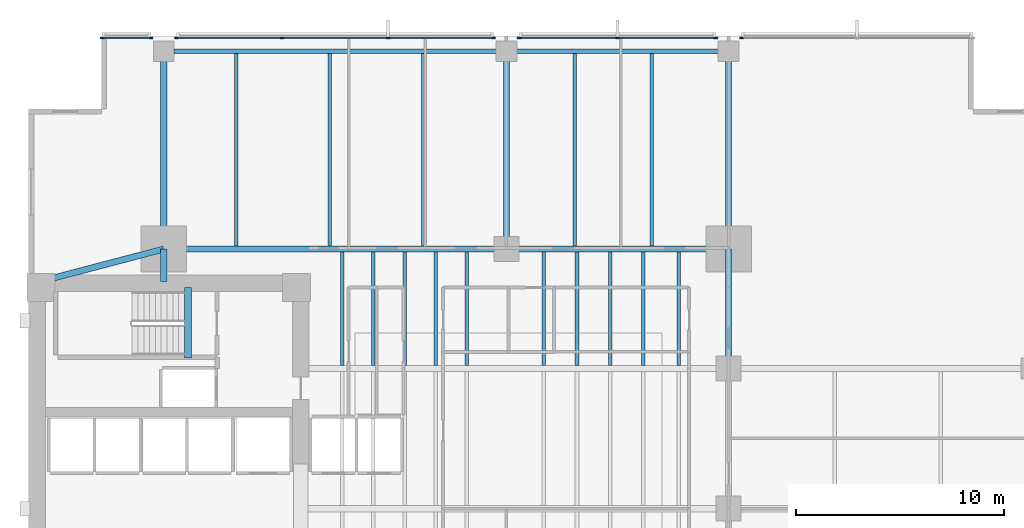
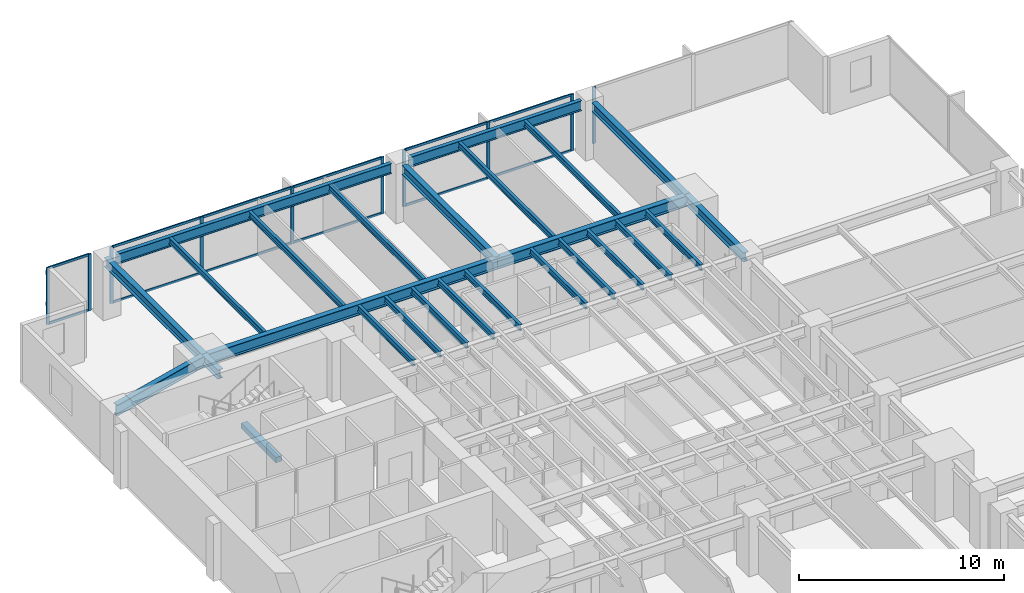
# One storey, part 5 of 15: 26 beams, 22 members, 4 elements without a shape of their own.
"""IFC4 building model written with IfcOpenShell, lengths in metres."""

import ifcopenshell
import ifcopenshell.guid

model = None  # the IFC model being written
_history = None  # IfcOwnerHistory: only IFC2X3 demands one
_inside = {}  # id of a spatial element -> (the spatial element, [elements in it])
_under = {}  # id of a project, library or spatial element -> (it, [spatial elements below it])
_declared = {}  # id of a project -> (the project, [libraries it declares])
_typed = {}  # id of a type object -> (the type object, [elements of that type])
_made_of = {}  # id of a material, layer set ... -> (it, [elements and type objects made of it])


def new_model(schema):
    """Start an empty IFC model of exactly this schema.

    Asked for "IFC4X3", IfcOpenShell would pick the latest addendum, in which some entities
    have other attributes; the version numbers below select the first issue.
    IFC2X3 requires an IfcOwnerHistory on every rooted entity: one is made here for all.
    """
    global model, _history
    if schema == "IFC4X3":
        model = ifcopenshell.file(schema_version=(4, 3, 0, 0))
    else:
        model = ifcopenshell.file(schema=schema)
    _inside.clear()
    _under.clear()
    _declared.clear()
    _typed.clear()
    _made_of.clear()
    _history = None
    if model.schema == "IFC2X3":
        org = make("IfcOrganization", Name="unknown")
        user = make(
            "IfcPersonAndOrganization",
            ThePerson=make("IfcPerson", FamilyName="unknown"),
            TheOrganization=org,
        )
        app = make(
            "IfcApplication",
            ApplicationDeveloper=org,
            Version="unknown",
            ApplicationFullName="unknown",
            ApplicationIdentifier="unknown",
        )
        _history = make(
            "IfcOwnerHistory",
            OwningUser=user,
            OwningApplication=app,
            ChangeAction="ADDED",
            CreationDate=0,
        )
    return model


def make(cls, **values):
    """One entity of the class cls with the attributes given. An attribute that is None is left unset."""
    return model.create_entity(
        cls, **{name: value for name, value in values.items() if value is not None}
    )


def rooted(cls, **values):
    """An entity with a GlobalId (a new one), such as an element, a storey or a relation."""
    return make(cls, GlobalId=ifcopenshell.guid.new(), OwnerHistory=_history, **values)


def si_unit(unit_type, name, prefix=None):
    """IfcSIUnit, for example si_unit("LENGTHUNIT", "METRE", prefix="MILLI")."""
    return make("IfcSIUnit", UnitType=unit_type, Prefix=prefix, Name=name)


def assignment(units):
    """IfcUnitAssignment: the units of a project."""
    return None if units is None else make("IfcUnitAssignment", Units=units)


def point(xyz):
    """IfcCartesianPoint."""
    return None if xyz is None else make("IfcCartesianPoint", Coordinates=xyz)


def direction(xyz):
    """IfcDirection."""
    return None if xyz is None else make("IfcDirection", DirectionRatios=xyz)


def frame(location, z_axis=None, x_axis=None):
    """IfcAxis2Placement3D, a coordinate frame: its origin and axes. An axis left out is left unset."""
    return make(
        "IfcAxis2Placement3D",
        Location=point(location),
        Axis=direction(z_axis),
        RefDirection=direction(x_axis),
    )


def frame_2d(location, x_axis=None):
    """IfcAxis2Placement2D, a coordinate frame in the plane: its origin and x axis."""
    return make(
        "IfcAxis2Placement2D", Location=point(location), RefDirection=direction(x_axis)
    )


def origin():
    """The frame at (0, 0, 0) with its axes left unset."""
    return frame((0.0, 0.0, 0.0))


def origin_2d():
    """The frame at (0, 0) in the plane with its x axis left unset."""
    return frame_2d((0.0, 0.0))


def place(relative_to, where):
    """IfcLocalPlacement: puts the frame where relative to a parent placement (None: the world)."""
    return make(
        "IfcLocalPlacement", PlacementRelTo=relative_to, RelativePlacement=where
    )


def context(
    kind, dimensions, precision=None, world=None, true_north=None, identifier=None
):
    """IfcGeometricRepresentationContext, for example the 3D "Model" context."""
    return make(
        "IfcGeometricRepresentationContext",
        ContextIdentifier=identifier,
        ContextType=kind,
        CoordinateSpaceDimension=dimensions,
        Precision=precision,
        WorldCoordinateSystem=world,
        TrueNorth=true_north,
    )


def subcontext(parent, identifier, kind, view, scale=None):
    """IfcGeometricRepresentationSubContext, for example "Body" below "Model"."""
    return make(
        "IfcGeometricRepresentationSubContext",
        ContextIdentifier=identifier,
        ContextType=kind,
        ParentContext=parent,
        TargetScale=scale,
        TargetView=view,
    )


def project(units=None, contexts=None):
    """IfcProject with its units and contexts."""
    return rooted(
        "IfcProject",
        Name="project",
        RepresentationContexts=contexts,
        UnitsInContext=assignment(units),
    )


def spatial(cls, under=None, at=None, **own):
    """A site, building, storey or space (cls), placed at a placement, below another one or the project."""
    s = rooted(cls, ObjectPlacement=at, **own)
    if under is not None:
        _under.setdefault(under.id(), (under, []))[1].append(s)
    return s


def profile(cls, at=None, kind="AREA", **sizes):
    """A parametric profile (cls). Its sizes go by their IFC names, for example OverallWidth=200.0."""
    return make(cls, ProfileType=kind, Position=at, **sizes)


def rectangle(**sizes):
    """IfcRectangleProfileDef."""
    return profile("IfcRectangleProfileDef", **sizes)


def i_section(**sizes):
    """IfcIShapeProfileDef."""
    return profile("IfcIShapeProfileDef", **sizes)


def extrude(swept, where, along, depth):
    """IfcExtrudedAreaSolid: the profile swept, set in the frame where, extruded along a direction by depth."""
    return make(
        "IfcExtrudedAreaSolid",
        SweptArea=swept,
        Position=where,
        ExtrudedDirection=direction(along),
        Depth=depth,
    )


def shape(context_of_items, identifier, shape_type, items):
    """IfcShapeRepresentation: the items that make up one representation, for example the "Body"."""
    return make(
        "IfcShapeRepresentation",
        ContextOfItems=context_of_items,
        RepresentationIdentifier=identifier,
        RepresentationType=shape_type,
        Items=items,
    )


def material(Name=None, Category=None):
    """IfcMaterial."""
    return make("IfcMaterial", Name=Name, Category=Category)


def layer(
    of_material, thickness, ventilated=None, Name=None, Category=None, Priority=None
):
    """IfcMaterialLayer: one layer of a wall or slab, of a material (None: an air gap)."""
    return make(
        "IfcMaterialLayer",
        Material=of_material,
        LayerThickness=thickness,
        IsVentilated=ventilated,
        Name=Name,
        Category=Category,
        Priority=Priority,
    )


def layer_set(layers, Name=None):
    """IfcMaterialLayerSet."""
    return make("IfcMaterialLayerSet", MaterialLayers=layers, LayerSetName=Name)


def material_profile(
    of_material, cross_section, Name=None, Category=None, Priority=None
):
    """IfcMaterialProfile: a cross section and its material."""
    return make(
        "IfcMaterialProfile",
        Name=Name,
        Material=of_material,
        Profile=cross_section,
        Priority=Priority,
        Category=Category,
    )


def profile_set(profiles, Name=None, composite=None):
    """IfcMaterialProfileSet."""
    return make(
        "IfcMaterialProfileSet",
        Name=Name,
        MaterialProfiles=profiles,
        CompositeProfile=composite,
    )


def made_of(thing, what):
    """Note that an element or type object is made of a material, layer set ...; save() writes the relation."""
    if what is not None:
        _made_of.setdefault(what.id(), (what, []))[1].append(thing)
    return thing


def type_object(cls, material=None, **own):
    """A type object (cls), such as IfcWallType, which elements share."""
    return made_of(rooted(cls, **own), material)


def element(
    cls,
    number,
    at=None,
    inside=None,
    cuts=None,
    type_object=None,
    material=None,
    context=None,
    identifier="Body",
    shape_type=None,
    held_by="IfcProductDefinitionShape",
    body=None,
    shapes=None,
    **own,
):
    """One element of the class cls, such as IfcWall. Its Tag is "e" and its number.

    at: its placement. inside: the storey or other place that contains it. cuts: it is an
    opening in that element (IfcRelVoidsElement). A single representation is given by context,
    identifier, shape_type and body (its items); several are given by shapes. held_by: the class
    of the entity that holds the representations. save() writes the other relations.
    """
    e = rooted(cls, Tag="e%d" % number, ObjectPlacement=at, **own)
    if body is not None:
        shapes = [shape(context, identifier, shape_type, body)]
    if shapes is not None:
        e.Representation = make(held_by, Representations=shapes)
    if inside is not None:
        _inside.setdefault(inside.id(), (inside, []))[1].append(e)
    if cuts is not None:
        rooted(
            "IfcRelVoidsElement", RelatingBuildingElement=cuts, RelatedOpeningElement=e
        )
    if type_object is not None:
        _typed.setdefault(type_object.id(), (type_object, []))[1].append(e)
    return made_of(e, material)


def aggregate(whole, parts):
    """IfcRelAggregates: a whole, such as a stair, and the parts it consists of."""
    return rooted("IfcRelAggregates", RelatingObject=whole, RelatedObjects=parts)


def save(model, path):
    """Write the relations noted so far, then the file.

    IfcRelAggregates (storeys below a building ...), IfcRelContainedInSpatialStructure (elements
    in a storey), IfcRelDefinesByType, IfcRelAssociatesMaterial and IfcRelDeclares: one each for
    every whole, place, type object, material and project.
    """
    for whole, parts in _under.values():
        aggregate(whole, parts)
    for where, things in _inside.values():
        rooted(
            "IfcRelContainedInSpatialStructure",
            RelatedElements=things,
            RelatingStructure=where,
        )
    for kind, things in _typed.values():
        rooted("IfcRelDefinesByType", RelatedObjects=things, RelatingType=kind)
    for what, things in _made_of.values():
        rooted("IfcRelAssociatesMaterial", RelatedObjects=things, RelatingMaterial=what)
    for by, libraries in _declared.values():
        rooted("IfcRelDeclares", RelatingContext=by, RelatedDefinitions=libraries)
    model.write(path)


model = new_model("IFC4")

# Units and contexts
model_context = context("Model", 3, precision=1e-05, world=origin(), true_north=direction((0.0, 1.0)))
body_context = subcontext(model_context, "Body", "Model", "MODEL_VIEW")
ifc_project = project(units=[si_unit("LENGTHUNIT", "METRE"), si_unit("AREAUNIT", "SQUARE_METRE"), si_unit("VOLUMEUNIT", "CUBIC_METRE"), si_unit("PLANEANGLEUNIT", "RADIAN"), si_unit("MASSUNIT", "GRAM", prefix="KILO")], contexts=[model_context])

# Site, building, storey
site_placement = place(None, origin())
site = spatial("IfcSite", under=ifc_project, at=site_placement, CompositionType="ELEMENT")
building_placement = place(site_placement, origin())
building = spatial("IfcBuilding", under=site, at=building_placement, Name="Kinhvarn Gate Tower", CompositionType="ELEMENT")
storey_placement = place(building_placement, frame((0.0, 0.0, 57.550048828125)))
storey = spatial("IfcBuildingStorey", under=building, at=storey_placement, Name="L14", CompositionType="ELEMENT", Elevation=57.550048828125)

# Beam
ifc_material_1 = material(Name="Concrete C50/60", Category="concrete")
ifc_material_profile_1 = material_profile(ifc_material_1, rectangle(XDim=0.340087890625, YDim=0.320068359375, at=origin_2d()), Name="RC 340x320")
ifc_profile_set_1 = profile_set([ifc_material_profile_1], Name="Concrete C50/60")
beam_type_1 = type_object("IfcBeamType", Name="BM-LND-500", PredefinedType="BEAM", material=ifc_profile_set_1)
beam_1_placement = place(storey_placement, frame((12.1650390625, 32.5, -0.16015625), z_axis=(0.0, 1.0, 0.0), x_axis=(-1.0, 0.0, 0.0)))
element("IfcBeam", 1, at=beam_1_placement, inside=storey, type_object=beam_type_1, Name="Stair ST2 Landing Nosing Beam (L14)", PredefinedType="BEAM", context=body_context, shape_type="SweptSolid", body=[
    extrude(rectangle(XDim=0.340087890625, YDim=0.320068359375, at=origin_2d()), origin(), (0.0, 0.0, 1.0), 3.39990234375),
])

# Curtain wall, member
ifc_material_2 = material(Name="Anodised aluminium AW-6063", Category="aluminium")
ifc_layer = layer(ifc_material_2, 0.179931640625)
ifc_layer_set = layer_set([ifc_layer], Name="Anodised aluminium AW-6063")
curtain_wall_type = type_object("IfcCurtainWallType", Name="CW-SYS-2", PredefinedType="NOTDEFINED", material=ifc_layer_set)
curtain_wall_1_placement = place(storey_placement, origin())
curtain_wall_1 = element("IfcCurtainWall", 2, at=curtain_wall_1_placement, inside=storey, type_object=curtain_wall_type, Name="Curtain Wall CW2 (L14)", PredefinedType="NOTDEFINED")
ifc_material_profile_2 = material_profile(ifc_material_2, rectangle(XDim=0.070068359375, YDim=0.179931640625, at=origin_2d()), Name="ALU 70x180")
ifc_profile_set_2 = profile_set([ifc_material_profile_2], Name="Anodised aluminium AW-6063")
member_type_1 = type_object("IfcMemberType", Name="CW-MUL-180", PredefinedType="MULLION", material=ifc_profile_set_2)
member_1_placement = place(storey_placement, frame((38.81494140625, 47.909912109375, 0.0), z_axis=(0.0, 0.0, 1.0), x_axis=(0.0, -1.0, 0.0)))
member_1 = element("IfcMember", 3, at=member_1_placement, type_object=member_type_1, Name="CW2 mullion 3", PredefinedType="MULLION", context=body_context, shape_type="SweptSolid", body=[
    extrude(rectangle(XDim=0.070068359375, YDim=0.179931640625, at=origin_2d()), origin(), (0.0, 0.0, 1.0), 3.369873046875),
])
aggregate(curtain_wall_1, [member_1])

# Curtain wall, members
curtain_wall_2_placement = place(storey_placement, origin())
curtain_wall_2 = element("IfcCurtainWall", 4, at=curtain_wall_2_placement, inside=storey, type_object=curtain_wall_type, Name="Curtain Wall CW2 (L14)", PredefinedType="NOTDEFINED")
member_2_placement = place(storey_placement, frame((37.5849609375, 47.909912109375, 0.0), z_axis=(0.0, 0.0, 1.0), x_axis=(0.0, -1.0, 0.0)))
member_2 = element("IfcMember", 5, at=member_2_placement, type_object=member_type_1, Name="CW2 mullion 1", PredefinedType="MULLION", context=body_context, shape_type="SweptSolid", body=[
    extrude(rectangle(XDim=0.070068359375, YDim=0.179931640625, at=origin_2d()), origin(), (0.0, 0.0, 1.0), 3.369873046875),
])
member_3_placement = place(storey_placement, frame((32.85009765625, 47.909912109375, 0.0), z_axis=(0.0, 0.0, 1.0), x_axis=(0.0, -1.0, 0.0)))
member_3 = element("IfcMember", 6, at=member_3_placement, type_object=member_type_1, Name="CW2 mullion 2", PredefinedType="MULLION", context=body_context, shape_type="SweptSolid", body=[
    extrude(rectangle(XDim=0.070068359375, YDim=0.179931640625, at=origin_2d()), origin(), (0.0, 0.0, 1.0), 3.369873046875),
])
member_4_placement = place(storey_placement, frame((28.114990234375, 47.909912109375, 0.0), z_axis=(0.0, 0.0, 1.0), x_axis=(0.0, -1.0, 0.0)))
member_4 = element("IfcMember", 7, at=member_4_placement, type_object=member_type_1, Name="CW2 mullion 3", PredefinedType="MULLION", context=body_context, shape_type="SweptSolid", body=[
    extrude(rectangle(XDim=0.070068359375, YDim=0.179931640625, at=origin_2d()), origin(), (0.0, 0.0, 1.0), 3.369873046875),
])

curtain_wall_3_placement = place(storey_placement, origin())
curtain_wall_3 = element("IfcCurtainWall", 8, at=curtain_wall_3_placement, inside=storey, type_object=curtain_wall_type, Name="Curtain Wall CW2 (L14)", PredefinedType="NOTDEFINED")
member_5_placement = place(storey_placement, frame((26.885009765625, 47.909912109375, 0.0), z_axis=(0.0, 0.0, 1.0), x_axis=(0.0, -1.0, 0.0)))
member_5 = element("IfcMember", 9, at=member_5_placement, type_object=member_type_1, Name="CW2 mullion 1", PredefinedType="MULLION", context=body_context, shape_type="SweptSolid", body=[
    extrude(rectangle(XDim=0.070068359375, YDim=0.179931640625, at=origin_2d()), origin(), (0.0, 0.0, 1.0), 3.369873046875),
])
member_6_placement = place(storey_placement, frame((21.806640625, 47.909912109375, 0.0), z_axis=(0.0, 0.0, 1.0), x_axis=(0.0, -1.0, 0.0)))
member_6 = element("IfcMember", 10, at=member_6_placement, type_object=member_type_1, Name="CW2 mullion 2", PredefinedType="MULLION", context=body_context, shape_type="SweptSolid", body=[
    extrude(rectangle(XDim=0.070068359375, YDim=0.179931640625, at=origin_2d()), origin(), (0.0, 0.0, 1.0), 3.369873046875),
])
member_7_placement = place(storey_placement, frame((16.693359375, 47.909912109375, 0.0), z_axis=(0.0, 0.0, 1.0), x_axis=(0.0, -1.0, 0.0)))
member_7 = element("IfcMember", 11, at=member_7_placement, type_object=member_type_1, Name="CW2 mullion 3", PredefinedType="MULLION", context=body_context, shape_type="SweptSolid", body=[
    extrude(rectangle(XDim=0.070068359375, YDim=0.179931640625, at=origin_2d()), origin(), (0.0, 0.0, 1.0), 3.369873046875),
])
member_8_placement = place(storey_placement, frame((11.614990234375, 47.909912109375, 0.0), z_axis=(0.0, 0.0, 1.0), x_axis=(0.0, -1.0, 0.0)))
member_8 = element("IfcMember", 12, at=member_8_placement, type_object=member_type_1, Name="CW2 mullion 4", PredefinedType="MULLION", context=body_context, shape_type="SweptSolid", body=[
    extrude(rectangle(XDim=0.070068359375, YDim=0.179931640625, at=origin_2d()), origin(), (0.0, 0.0, 1.0), 3.369873046875),
])

curtain_wall_4_placement = place(storey_placement, origin())
curtain_wall_4 = element("IfcCurtainWall", 13, at=curtain_wall_4_placement, inside=storey, type_object=curtain_wall_type, Name="Curtain Wall CW2 (L14)", PredefinedType="NOTDEFINED")
member_9_placement = place(storey_placement, frame((10.385009765625, 47.909912109375, 0.0), z_axis=(0.0, 0.0, 1.0), x_axis=(0.0, -1.0, 0.0)))
member_9 = element("IfcMember", 14, at=member_9_placement, type_object=member_type_1, Name="CW2 mullion 1", PredefinedType="MULLION", context=body_context, shape_type="SweptSolid", body=[
    extrude(rectangle(XDim=0.070068359375, YDim=0.179931640625, at=origin_2d()), origin(), (0.0, 0.0, 1.0), 3.369873046875),
])
member_10_placement = place(storey_placement, frame((8.034912109375, 47.909912109375, 0.0), z_axis=(0.0, 0.0, 1.0), x_axis=(0.0, -1.0, 0.0)))
member_10 = element("IfcMember", 15, at=member_10_placement, type_object=member_type_1, Name="CW2 mullion 2", PredefinedType="MULLION", context=body_context, shape_type="SweptSolid", body=[
    extrude(rectangle(XDim=0.070068359375, YDim=0.179931640625, at=origin_2d()), origin(), (0.0, 0.0, 1.0), 3.369873046875),
])

# Member
ifc_material_profile_3 = material_profile(ifc_material_2, rectangle(XDim=0.070068359375, YDim=0.139892578125, at=origin_2d()), Name="ALU 70x140")
ifc_profile_set_3 = profile_set([ifc_material_profile_3], Name="Anodised aluminium AW-6063")
member_type_2 = type_object("IfcMemberType", Name="CW-TRN-140", PredefinedType="USERDEFINED", material=ifc_profile_set_3)
member_11_placement = place(storey_placement, frame((37.550048828125, 47.909912109375, 0.034912109375), z_axis=(-1.0, 0.0, 0.0), x_axis=(0.0, -1.0, 0.0)))
member_11 = element("IfcMember", 16, at=member_11_placement, type_object=member_type_2, Name="CW2 transom 1.1", ObjectType="TRANSOM", PredefinedType="USERDEFINED", context=body_context, shape_type="SweptSolid", body=[
    extrude(rectangle(XDim=0.070068359375, YDim=0.139892578125, at=origin_2d()), origin(), (0.0, 0.0, 1.0), 4.6650390625),
])

member_12_placement = place(storey_placement, frame((37.550048828125, 47.909912109375, 3.3349609375), z_axis=(-1.0, 0.0, 0.0), x_axis=(0.0, -1.0, 0.0)))
member_12 = element("IfcMember", 17, at=member_12_placement, type_object=member_type_2, Name="CW2 transom 1.2", ObjectType="TRANSOM", PredefinedType="USERDEFINED", context=body_context, shape_type="SweptSolid", body=[
    extrude(rectangle(XDim=0.070068359375, YDim=0.139892578125, at=origin_2d()), origin(), (0.0, 0.0, 1.0), 4.6650390625),
])

member_13_placement = place(storey_placement, frame((32.81494140625, 47.909912109375, 0.034912109375), z_axis=(-1.0, 0.0, 0.0), x_axis=(0.0, -1.0, 0.0)))
member_13 = element("IfcMember", 18, at=member_13_placement, type_object=member_type_2, Name="CW2 transom 2.1", ObjectType="TRANSOM", PredefinedType="USERDEFINED", context=body_context, shape_type="SweptSolid", body=[
    extrude(rectangle(XDim=0.070068359375, YDim=0.139892578125, at=origin_2d()), origin(), (0.0, 0.0, 1.0), 4.6650390625),
])

member_14_placement = place(storey_placement, frame((32.81494140625, 47.909912109375, 3.3349609375), z_axis=(-1.0, 0.0, 0.0), x_axis=(0.0, -1.0, 0.0)))
member_14 = element("IfcMember", 19, at=member_14_placement, type_object=member_type_2, Name="CW2 transom 2.2", ObjectType="TRANSOM", PredefinedType="USERDEFINED", context=body_context, shape_type="SweptSolid", body=[
    extrude(rectangle(XDim=0.070068359375, YDim=0.139892578125, at=origin_2d()), origin(), (0.0, 0.0, 1.0), 4.6650390625),
])

aggregate(curtain_wall_2, [member_2, member_3, member_4, member_11, member_12, member_13, member_14])

member_15_placement = place(storey_placement, frame((26.85009765625, 47.909912109375, 0.034912109375), z_axis=(-1.0, 0.0, 0.0), x_axis=(0.0, -1.0, 0.0)))
member_15 = element("IfcMember", 20, at=member_15_placement, type_object=member_type_2, Name="CW2 transom 1.1", ObjectType="TRANSOM", PredefinedType="USERDEFINED", context=body_context, shape_type="SweptSolid", body=[
    extrude(rectangle(XDim=0.070068359375, YDim=0.139892578125, at=origin_2d()), origin(), (0.0, 0.0, 1.0), 5.008544921875),
])

member_16_placement = place(storey_placement, frame((26.85009765625, 47.909912109375, 3.3349609375), z_axis=(-1.0, 0.0, 0.0), x_axis=(0.0, -1.0, 0.0)))
member_16 = element("IfcMember", 21, at=member_16_placement, type_object=member_type_2, Name="CW2 transom 1.2", ObjectType="TRANSOM", PredefinedType="USERDEFINED", context=body_context, shape_type="SweptSolid", body=[
    extrude(rectangle(XDim=0.070068359375, YDim=0.139892578125, at=origin_2d()), origin(), (0.0, 0.0, 1.0), 5.008544921875),
])

member_17_placement = place(storey_placement, frame((21.771728515625, 47.909912109375, 0.034912109375), z_axis=(-1.0, 0.0, 0.0), x_axis=(0.0, -1.0, 0.0)))
member_17 = element("IfcMember", 22, at=member_17_placement, type_object=member_type_2, Name="CW2 transom 2.1", ObjectType="TRANSOM", PredefinedType="USERDEFINED", context=body_context, shape_type="SweptSolid", body=[
    extrude(rectangle(XDim=0.070068359375, YDim=0.139892578125, at=origin_2d()), origin(), (0.0, 0.0, 1.0), 5.04345703125),
])

member_18_placement = place(storey_placement, frame((21.771728515625, 47.909912109375, 3.3349609375), z_axis=(-1.0, 0.0, 0.0), x_axis=(0.0, -1.0, 0.0)))
member_18 = element("IfcMember", 23, at=member_18_placement, type_object=member_type_2, Name="CW2 transom 2.2", ObjectType="TRANSOM", PredefinedType="USERDEFINED", context=body_context, shape_type="SweptSolid", body=[
    extrude(rectangle(XDim=0.070068359375, YDim=0.139892578125, at=origin_2d()), origin(), (0.0, 0.0, 1.0), 5.04345703125),
])

member_19_placement = place(storey_placement, frame((16.658447265625, 47.909912109375, 0.034912109375), z_axis=(-1.0, 0.0, 0.0), x_axis=(0.0, -1.0, 0.0)))
member_19 = element("IfcMember", 24, at=member_19_placement, type_object=member_type_2, Name="CW2 transom 3.1", ObjectType="TRANSOM", PredefinedType="USERDEFINED", context=body_context, shape_type="SweptSolid", body=[
    extrude(rectangle(XDim=0.070068359375, YDim=0.139892578125, at=origin_2d()), origin(), (0.0, 0.0, 1.0), 5.008544921875),
])

member_20_placement = place(storey_placement, frame((16.658447265625, 47.909912109375, 3.3349609375), z_axis=(-1.0, 0.0, 0.0), x_axis=(0.0, -1.0, 0.0)))
member_20 = element("IfcMember", 25, at=member_20_placement, type_object=member_type_2, Name="CW2 transom 3.2", ObjectType="TRANSOM", PredefinedType="USERDEFINED", context=body_context, shape_type="SweptSolid", body=[
    extrude(rectangle(XDim=0.070068359375, YDim=0.139892578125, at=origin_2d()), origin(), (0.0, 0.0, 1.0), 5.008544921875),
])

aggregate(curtain_wall_3, [member_5, member_6, member_7, member_8, member_15, member_16, member_17, member_18, member_19, member_20])

member_21_placement = place(storey_placement, frame((10.35009765625, 47.909912109375, 0.034912109375), z_axis=(-1.0, 0.0, 0.0), x_axis=(0.0, -1.0, 0.0)))
member_21 = element("IfcMember", 26, at=member_21_placement, type_object=member_type_2, Name="CW2 transom 1.1", ObjectType="TRANSOM", PredefinedType="USERDEFINED", context=body_context, shape_type="SweptSolid", body=[
    extrude(rectangle(XDim=0.070068359375, YDim=0.139892578125, at=origin_2d()), origin(), (0.0, 0.0, 1.0), 2.280029296875),
])

member_22_placement = place(storey_placement, frame((10.35009765625, 47.909912109375, 3.3349609375), z_axis=(-1.0, 0.0, 0.0), x_axis=(0.0, -1.0, 0.0)))
member_22 = element("IfcMember", 27, at=member_22_placement, type_object=member_type_2, Name="CW2 transom 1.2", ObjectType="TRANSOM", PredefinedType="USERDEFINED", context=body_context, shape_type="SweptSolid", body=[
    extrude(rectangle(XDim=0.070068359375, YDim=0.139892578125, at=origin_2d()), origin(), (0.0, 0.0, 1.0), 2.280029296875),
])

aggregate(curtain_wall_4, [member_9, member_10, member_21, member_22])

# Beams
ifc_material_3 = material(Name="Steel S355", Category="steel")
ifc_material_profile_4 = material_profile(ifc_material_3, i_section(OverallWidth=0.300048828125, OverallDepth=0.550048828125, WebThickness=0.014892578125, FlangeThickness=0.029052734375, at=origin_2d()), Name="HEB 550")
ifc_profile_set_4 = profile_set([ifc_material_profile_4], Name="Steel S355")
beam_type_2 = type_object("IfcBeamType", Name="STL-HEB550", PredefinedType="BEAM", material=ifc_profile_set_4)
beam_2_placement = place(storey_placement, frame((11.0, 36.199951171875, 3.094970703125), z_axis=(0.0, 1.0, 0.0), x_axis=(-1.0, 0.0, 0.0)))
element("IfcBeam", 28, at=beam_2_placement, inside=storey, type_object=beam_type_2, Name="Floor Beam PG-15 (L14 MCW-CN)", PredefinedType="BEAM", context=body_context, shape_type="SweptSolid", body=[
    extrude(i_section(OverallWidth=0.300048828125, OverallDepth=0.550048828125, WebThickness=0.014892578125, FlangeThickness=0.029052734375, at=origin_2d()), origin(), (0.0, 0.0, 1.0), 1.550048828125),
])
beam_3_placement = place(storey_placement, frame((11.0, 37.75, 3.094970703125), z_axis=(0.0, 1.0, 0.0), x_axis=(-1.0, 0.0, 0.0)))
element("IfcBeam", 29, at=beam_3_placement, inside=storey, type_object=beam_type_2, Name="Floor Beam PG-15 (L14 MCW-N)", PredefinedType="BEAM", context=body_context, shape_type="SweptSolid", body=[
    extrude(i_section(OverallWidth=0.300048828125, OverallDepth=0.550048828125, WebThickness=0.014892578125, FlangeThickness=0.029052734375, at=origin_2d()), origin(), (0.0, 0.0, 1.0), 9.530029296875),
])
for number, where, z_axis, x_axis, name in (
    (30, (27.5, 37.75, 3.094970703125), (0.0, 1.0, 0.0), (-1.0, 0.0, 0.0), "Floor Beam PG-15 (L14 SP27-N-TIE)"),
    (31, (38.199951171875, 37.75, 3.094970703125), (0.0, 1.0, 0.0), (-1.0, 0.0, 0.0), "Floor Beam PG-15 (L14 MCE-N)"),
):
    element("IfcBeam", number, at=place(storey_placement, frame(where, z_axis=z_axis, x_axis=x_axis)), inside=storey, type_object=beam_type_2, Name=name, PredefinedType="BEAM", context=body_context, shape_type="SweptSolid", body=[
        extrude(i_section(OverallWidth=0.300048828125, OverallDepth=0.550048828125, WebThickness=0.014892578125, FlangeThickness=0.029052734375, at=origin_2d()), origin(), (0.0, 0.0, 1.0), 9.044921875),
    ])
beam_4_placement = place(storey_placement, frame((38.199951171875, 32.0, 3.094970703125), z_axis=(0.0, 1.0, 0.0), x_axis=(-1.0, 0.0, 0.0)))
element("IfcBeam", 32, at=beam_4_placement, inside=storey, type_object=beam_type_2, Name="Floor Beam PG-15 (L14 MG-E-32)", PredefinedType="BEAM", context=body_context, shape_type="SweptSolid", body=[
    extrude(i_section(OverallWidth=0.300048828125, OverallDepth=0.550048828125, WebThickness=0.014892578125, FlangeThickness=0.029052734375, at=origin_2d()), origin(), (0.0, 0.0, 1.0), 5.75),
])
ifc_material_profile_5 = material_profile(ifc_material_3, i_section(OverallWidth=0.300048828125, OverallDepth=0.64990234375, WebThickness=0.01611328125, FlangeThickness=0.031005859375, at=origin_2d()), Name="HEB 650")
ifc_profile_set_5 = profile_set([ifc_material_profile_5], Name="Steel S355")
beam_type_3 = type_object("IfcBeamType", Name="STL-HEB650", PredefinedType="BEAM", material=ifc_profile_set_5)
beam_5_placement = place(storey_placement, frame((11.0, 37.75, 3.044921875), z_axis=(1.0, 0.0, 0.0), x_axis=(0.0, 1.0, 0.0)))
element("IfcBeam", 33, at=beam_5_placement, inside=storey, type_object=beam_type_3, Name="Floor Beam PG-17 (L14 MG-N1)", PredefinedType="BEAM", context=body_context, shape_type="SweptSolid", body=[
    extrude(i_section(OverallWidth=0.300048828125, OverallDepth=0.64990234375, WebThickness=0.01611328125, FlangeThickness=0.031005859375, at=origin_2d()), origin(), (0.0, 0.0, 1.0), 16.5),
])
beam_6_placement = place(storey_placement, frame((27.5, 37.75, 3.044921875), z_axis=(1.0, 0.0, 0.0), x_axis=(0.0, 1.0, 0.0)))
element("IfcBeam", 34, at=beam_6_placement, inside=storey, type_object=beam_type_3, Name="Floor Beam PG-17 (L14 MG-N2)", PredefinedType="BEAM", context=body_context, shape_type="SweptSolid", body=[
    extrude(i_section(OverallWidth=0.300048828125, OverallDepth=0.64990234375, WebThickness=0.01611328125, FlangeThickness=0.031005859375, at=origin_2d()), origin(), (0.0, 0.0, 1.0), 10.699951171875),
])
beam_7_placement = place(storey_placement, frame((5.10009765625, 36.199951171875, 3.044921875), z_axis=(0.967177623957, 0.254101246979, 0.0), x_axis=(-0.254101246979, 0.967177623957, 0.0)))
element("IfcBeam", 35, at=beam_7_placement, inside=storey, type_object=beam_type_3, Name="Floor Beam PG-17 (L14 MG-NW-DIAG)", PredefinedType="BEAM", context=body_context, shape_type="SweptSolid", body=[
    extrude(i_section(OverallWidth=0.300048828125, OverallDepth=0.64990234375, WebThickness=0.01611328125, FlangeThickness=0.031005859375, at=origin_2d()), origin(), (0.0, 0.0, 1.0), 6.10009765625),
])
ifc_material_profile_6 = material_profile(ifc_material_3, i_section(OverallWidth=0.169921875, OverallDepth=0.360107421875, WebThickness=0.008056640625, FlangeThickness=0.0126953125, at=origin_2d()), Name="IPE 360")
ifc_profile_set_6 = profile_set([ifc_material_profile_6], Name="Steel S355")
beam_type_4 = type_object("IfcBeamType", Name="STL-IPE360", PredefinedType="JOIST", material=ifc_profile_set_6)
for number, where, z_axis, x_axis, name in (
    (36, (19.60009765625, 32.14990234375, 3.18994140625), (0.0, 1.0, 0.0), (-1.0, 0.0, 0.0), "Floor Joist SB-04 (L14 JC-X196-3)"),
    (37, (21.10009765625, 32.14990234375, 3.18994140625), (0.0, 1.0, 0.0), (-1.0, 0.0, 0.0), "Floor Joist SB-04 (L14 JC-X211-3)"),
    (38, (22.60009765625, 32.14990234375, 3.18994140625), (0.0, 1.0, 0.0), (-1.0, 0.0, 0.0), "Floor Joist SB-04 (L14 JC-X226-3)"),
    (39, (24.10009765625, 32.14990234375, 3.18994140625), (0.0, 1.0, 0.0), (-1.0, 0.0, 0.0), "Floor Joist SB-04 (L14 JC-X241-3)"),
    (40, (25.60009765625, 32.14990234375, 3.18994140625), (0.0, 1.0, 0.0), (-1.0, 0.0, 0.0), "Floor Joist SB-04 (L14 JC-X256-3)"),
    (41, (29.300048828125, 32.14990234375, 3.18994140625), (0.0, 1.0, 0.0), (-1.0, 0.0, 0.0), "Floor Joist SB-04 (L14 JC-X293-3)"),
    (42, (30.89990234375, 32.14990234375, 3.18994140625), (0.0, 1.0, 0.0), (-1.0, 0.0, 0.0), "Floor Joist SB-04 (L14 JC-X309-3)"),
    (43, (32.5, 32.14990234375, 3.18994140625), (0.0, 1.0, 0.0), (-1.0, 0.0, 0.0), "Floor Joist SB-04 (L14 JC-X325-3)"),
    (44, (34.10009765625, 32.14990234375, 3.18994140625), (0.0, 1.0, 0.0), (-1.0, 0.0, 0.0), "Floor Joist SB-04 (L14 JC-X341-3)"),
    (45, (35.800048828125, 32.14990234375, 3.18994140625), (0.0, 1.0, 0.0), (-1.0, 0.0, 0.0), "Floor Joist SB-04 (L14 JC-X358-3)"),
):
    element("IfcBeam", number, at=place(storey_placement, frame(where, z_axis=z_axis, x_axis=x_axis)), inside=storey, type_object=beam_type_4, Name=name, PredefinedType="JOIST", context=body_context, shape_type="SweptSolid", body=[
        extrude(i_section(OverallWidth=0.169921875, OverallDepth=0.360107421875, WebThickness=0.008056640625, FlangeThickness=0.0126953125, at=origin_2d()), origin(), (0.0, 0.0, 1.0), 5.4501953125),
    ])
for number, where, z_axis, x_axis, name in (
    (46, (14.5, 37.89990234375, 3.18994140625), (0.0, 1.0, 0.0), (-1.0, 0.0, 0.0), "Floor Joist SB-04 (L14 JN-X145)"),
    (47, (19.0, 37.89990234375, 3.18994140625), (0.0, 1.0, 0.0), (-1.0, 0.0, 0.0), "Floor Joist SB-04 (L14 JN-X190)"),
    (48, (23.5, 37.89990234375, 3.18994140625), (0.0, 1.0, 0.0), (-1.0, 0.0, 0.0), "Floor Joist SB-04 (L14 JN-X235)"),
    (49, (30.800048828125, 37.89990234375, 3.18994140625), (0.0, 1.0, 0.0), (-1.0, 0.0, 0.0), "Floor Joist SB-04 (L14 JN-X308)"),
    (50, (34.5, 37.89990234375, 3.18994140625), (0.0, 1.0, 0.0), (-1.0, 0.0, 0.0), "Floor Joist SB-04 (L14 JN-X345)"),
):
    element("IfcBeam", number, at=place(storey_placement, frame(where, z_axis=z_axis, x_axis=x_axis)), inside=storey, type_object=beam_type_4, Name=name, PredefinedType="JOIST", context=body_context, shape_type="SweptSolid", body=[
        extrude(i_section(OverallWidth=0.169921875, OverallDepth=0.360107421875, WebThickness=0.008056640625, FlangeThickness=0.0126953125, at=origin_2d()), origin(), (0.0, 0.0, 1.0), 9.27001953125),
    ])
ifc_material_profile_7 = material_profile(ifc_material_3, i_section(OverallWidth=0.219970703125, OverallDepth=0.60009765625, WebThickness=0.011962890625, FlangeThickness=0.01904296875, at=origin_2d()), Name="IPE 600")
ifc_profile_set_7 = profile_set([ifc_material_profile_7], Name="Steel S355")
beam_type_5 = type_object("IfcBeamType", Name="STL-IPE600", PredefinedType="SPANDREL", material=ifc_profile_set_7)
beam_8_placement = place(storey_placement, frame((11.485107421875, 47.280029296875, 3.070068359375), z_axis=(1.0, 0.0, 0.0), x_axis=(0.0, 1.0, 0.0)))
element("IfcBeam", 51, at=beam_8_placement, inside=storey, type_object=beam_type_5, Name="Floor Spandrel SB-09 (L14 SP-N1)", PredefinedType="SPANDREL", context=body_context, shape_type="SweptSolid", body=[
    extrude(i_section(OverallWidth=0.219970703125, OverallDepth=0.60009765625, WebThickness=0.011962890625, FlangeThickness=0.01904296875, at=origin_2d()), origin(), (0.0, 0.0, 1.0), 15.52978515625),
])
beam_9_placement = place(storey_placement, frame((27.985107421875, 47.280029296875, 3.070068359375), z_axis=(1.0, 0.0, 0.0), x_axis=(0.0, 1.0, 0.0)))
element("IfcBeam", 52, at=beam_9_placement, inside=storey, type_object=beam_type_5, Name="Floor Spandrel SB-09 (L14 SP-N2)", PredefinedType="SPANDREL", context=body_context, shape_type="SweptSolid", body=[
    extrude(i_section(OverallWidth=0.219970703125, OverallDepth=0.60009765625, WebThickness=0.011962890625, FlangeThickness=0.01904296875, at=origin_2d()), origin(), (0.0, 0.0, 1.0), 9.72998046875),
])

save(model, "model.ifc")
